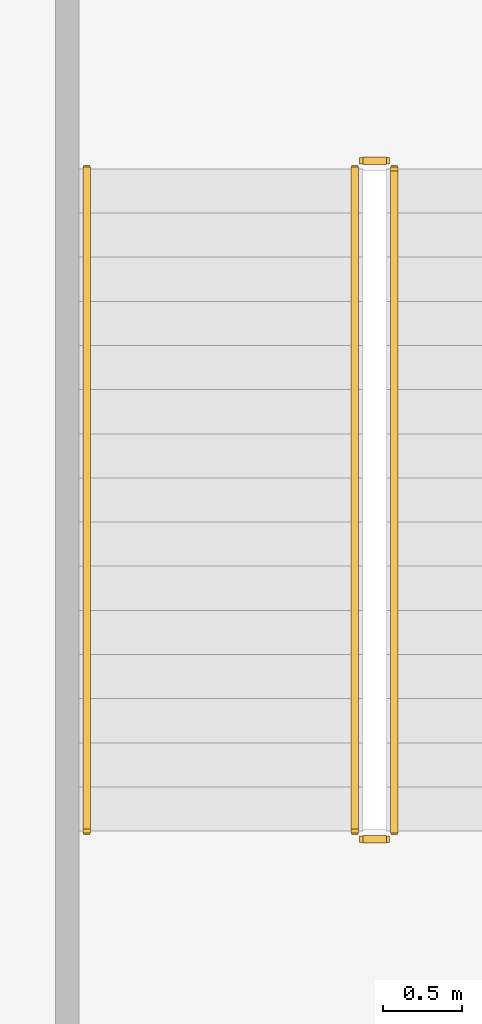
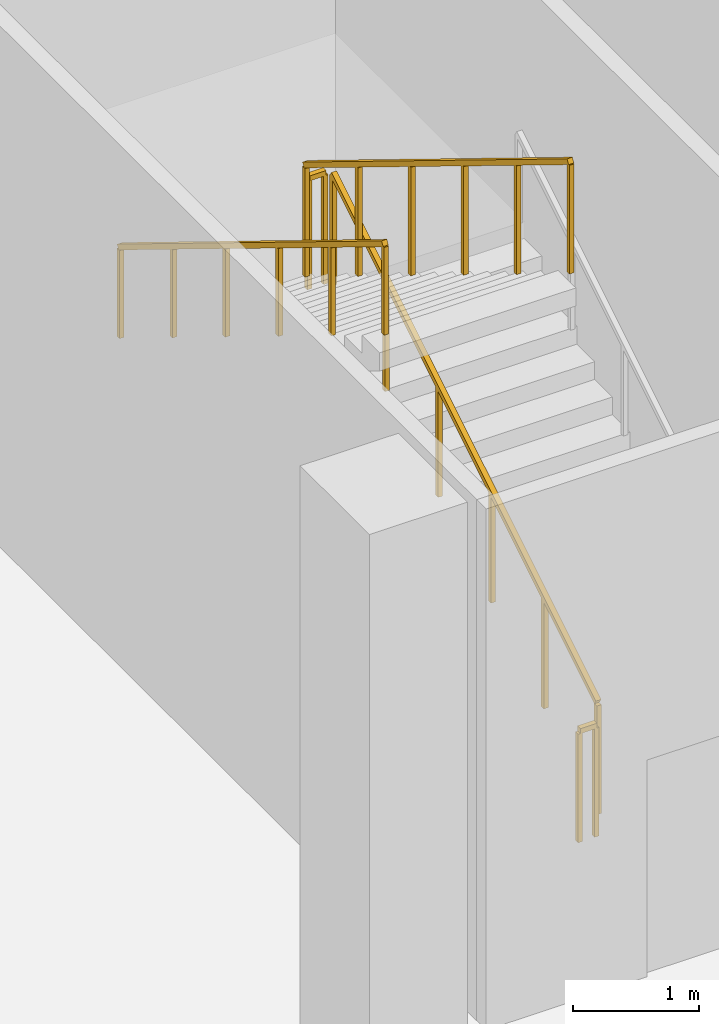
# One storey, part 21 of 26: 5 railings.
"""IFC4 building model written with IfcOpenShell, lengths in metres."""

import ifcopenshell
import ifcopenshell.guid

model = None  # the IFC model being written
_history = None  # IfcOwnerHistory: only IFC2X3 demands one
_inside = {}  # id of a spatial element -> (the spatial element, [elements in it])
_under = {}  # id of a project, library or spatial element -> (it, [spatial elements below it])
_declared = {}  # id of a project -> (the project, [libraries it declares])
_typed = {}  # id of a type object -> (the type object, [elements of that type])
_made_of = {}  # id of a material, layer set ... -> (it, [elements and type objects made of it])


def new_model(schema):
    """Start an empty IFC model of exactly this schema.

    Asked for "IFC4X3", IfcOpenShell would pick the latest addendum, in which some entities
    have other attributes; the version numbers below select the first issue.
    IFC2X3 requires an IfcOwnerHistory on every rooted entity: one is made here for all.
    """
    global model, _history
    if schema == "IFC4X3":
        model = ifcopenshell.file(schema_version=(4, 3, 0, 0))
    else:
        model = ifcopenshell.file(schema=schema)
    _inside.clear()
    _under.clear()
    _declared.clear()
    _typed.clear()
    _made_of.clear()
    _history = None
    if model.schema == "IFC2X3":
        org = make("IfcOrganization", Name="unknown")
        user = make(
            "IfcPersonAndOrganization",
            ThePerson=make("IfcPerson", FamilyName="unknown"),
            TheOrganization=org,
        )
        app = make(
            "IfcApplication",
            ApplicationDeveloper=org,
            Version="unknown",
            ApplicationFullName="unknown",
            ApplicationIdentifier="unknown",
        )
        _history = make(
            "IfcOwnerHistory",
            OwningUser=user,
            OwningApplication=app,
            ChangeAction="ADDED",
            CreationDate=0,
        )
    return model


def make(cls, **values):
    """One entity of the class cls with the attributes given. An attribute that is None is left unset."""
    return model.create_entity(
        cls, **{name: value for name, value in values.items() if value is not None}
    )


def rooted(cls, **values):
    """An entity with a GlobalId (a new one), such as an element, a storey or a relation."""
    return make(cls, GlobalId=ifcopenshell.guid.new(), OwnerHistory=_history, **values)


def si_unit(unit_type, name, prefix=None):
    """IfcSIUnit, for example si_unit("LENGTHUNIT", "METRE", prefix="MILLI")."""
    return make("IfcSIUnit", UnitType=unit_type, Prefix=prefix, Name=name)


def assignment(units):
    """IfcUnitAssignment: the units of a project."""
    return None if units is None else make("IfcUnitAssignment", Units=units)


def point(xyz):
    """IfcCartesianPoint."""
    return None if xyz is None else make("IfcCartesianPoint", Coordinates=xyz)


def direction(xyz):
    """IfcDirection."""
    return None if xyz is None else make("IfcDirection", DirectionRatios=xyz)


def frame(location, z_axis=None, x_axis=None):
    """IfcAxis2Placement3D, a coordinate frame: its origin and axes. An axis left out is left unset."""
    return make(
        "IfcAxis2Placement3D",
        Location=point(location),
        Axis=direction(z_axis),
        RefDirection=direction(x_axis),
    )


def frame_2d(location, x_axis=None):
    """IfcAxis2Placement2D, a coordinate frame in the plane: its origin and x axis."""
    return make(
        "IfcAxis2Placement2D", Location=point(location), RefDirection=direction(x_axis)
    )


def origin():
    """The frame at (0, 0, 0) with its axes left unset."""
    return frame((0.0, 0.0, 0.0))


def origin_2d():
    """The frame at (0, 0) in the plane with its x axis left unset."""
    return frame_2d((0.0, 0.0))


def place(relative_to, where):
    """IfcLocalPlacement: puts the frame where relative to a parent placement (None: the world)."""
    return make(
        "IfcLocalPlacement", PlacementRelTo=relative_to, RelativePlacement=where
    )


def context(
    kind, dimensions, precision=None, world=None, true_north=None, identifier=None
):
    """IfcGeometricRepresentationContext, for example the 3D "Model" context."""
    return make(
        "IfcGeometricRepresentationContext",
        ContextIdentifier=identifier,
        ContextType=kind,
        CoordinateSpaceDimension=dimensions,
        Precision=precision,
        WorldCoordinateSystem=world,
        TrueNorth=true_north,
    )


def subcontext(parent, identifier, kind, view, scale=None):
    """IfcGeometricRepresentationSubContext, for example "Body" below "Model"."""
    return make(
        "IfcGeometricRepresentationSubContext",
        ContextIdentifier=identifier,
        ContextType=kind,
        ParentContext=parent,
        TargetScale=scale,
        TargetView=view,
    )


def project(units=None, contexts=None):
    """IfcProject with its units and contexts."""
    return rooted(
        "IfcProject",
        Name="project",
        RepresentationContexts=contexts,
        UnitsInContext=assignment(units),
    )


def spatial(cls, under=None, at=None, **own):
    """A site, building, storey or space (cls), placed at a placement, below another one or the project."""
    s = rooted(cls, ObjectPlacement=at, **own)
    if under is not None:
        _under.setdefault(under.id(), (under, []))[1].append(s)
    return s


def profile(cls, at=None, kind="AREA", **sizes):
    """A parametric profile (cls). Its sizes go by their IFC names, for example OverallWidth=200.0."""
    return make(cls, ProfileType=kind, Position=at, **sizes)


def rectangle(**sizes):
    """IfcRectangleProfileDef."""
    return profile("IfcRectangleProfileDef", **sizes)


def extrude(swept, where, along, depth):
    """IfcExtrudedAreaSolid: the profile swept, set in the frame where, extruded along a direction by depth."""
    return make(
        "IfcExtrudedAreaSolid",
        SweptArea=swept,
        Position=where,
        ExtrudedDirection=direction(along),
        Depth=depth,
    )


def shape(context_of_items, identifier, shape_type, items):
    """IfcShapeRepresentation: the items that make up one representation, for example the "Body"."""
    return make(
        "IfcShapeRepresentation",
        ContextOfItems=context_of_items,
        RepresentationIdentifier=identifier,
        RepresentationType=shape_type,
        Items=items,
    )


def material(Name=None, Category=None):
    """IfcMaterial."""
    return make("IfcMaterial", Name=Name, Category=Category)


def made_of(thing, what):
    """Note that an element or type object is made of a material, layer set ...; save() writes the relation."""
    if what is not None:
        _made_of.setdefault(what.id(), (what, []))[1].append(thing)
    return thing


def type_object(cls, material=None, **own):
    """A type object (cls), such as IfcWallType, which elements share."""
    return made_of(rooted(cls, **own), material)


def element(
    cls,
    number,
    at=None,
    inside=None,
    cuts=None,
    type_object=None,
    material=None,
    context=None,
    identifier="Body",
    shape_type=None,
    held_by="IfcProductDefinitionShape",
    body=None,
    shapes=None,
    **own,
):
    """One element of the class cls, such as IfcWall. Its Tag is "e" and its number.

    at: its placement. inside: the storey or other place that contains it. cuts: it is an
    opening in that element (IfcRelVoidsElement). A single representation is given by context,
    identifier, shape_type and body (its items); several are given by shapes. held_by: the class
    of the entity that holds the representations. save() writes the other relations.
    """
    e = rooted(cls, Tag="e%d" % number, ObjectPlacement=at, **own)
    if body is not None:
        shapes = [shape(context, identifier, shape_type, body)]
    if shapes is not None:
        e.Representation = make(held_by, Representations=shapes)
    if inside is not None:
        _inside.setdefault(inside.id(), (inside, []))[1].append(e)
    if cuts is not None:
        rooted(
            "IfcRelVoidsElement", RelatingBuildingElement=cuts, RelatedOpeningElement=e
        )
    if type_object is not None:
        _typed.setdefault(type_object.id(), (type_object, []))[1].append(e)
    return made_of(e, material)


def aggregate(whole, parts):
    """IfcRelAggregates: a whole, such as a stair, and the parts it consists of."""
    return rooted("IfcRelAggregates", RelatingObject=whole, RelatedObjects=parts)


def save(model, path):
    """Write the relations noted so far, then the file.

    IfcRelAggregates (storeys below a building ...), IfcRelContainedInSpatialStructure (elements
    in a storey), IfcRelDefinesByType, IfcRelAssociatesMaterial and IfcRelDeclares: one each for
    every whole, place, type object, material and project.
    """
    for whole, parts in _under.values():
        aggregate(whole, parts)
    for where, things in _inside.values():
        rooted(
            "IfcRelContainedInSpatialStructure",
            RelatedElements=things,
            RelatingStructure=where,
        )
    for kind, things in _typed.values():
        rooted("IfcRelDefinesByType", RelatedObjects=things, RelatingType=kind)
    for what, things in _made_of.values():
        rooted("IfcRelAssociatesMaterial", RelatedObjects=things, RelatingMaterial=what)
    for by, libraries in _declared.values():
        rooted("IfcRelDeclares", RelatingContext=by, RelatedDefinitions=libraries)
    model.write(path)


model = new_model("IFC4")

# Units and contexts
model_context = context("Model", 3, precision=1e-05, world=origin(), true_north=direction((0.0, 1.0)))
body_context = subcontext(model_context, "Body", "Model", "MODEL_VIEW")
ifc_project = project(units=[si_unit("LENGTHUNIT", "METRE"), si_unit("AREAUNIT", "SQUARE_METRE"), si_unit("VOLUMEUNIT", "CUBIC_METRE"), si_unit("PLANEANGLEUNIT", "RADIAN"), si_unit("MASSUNIT", "GRAM", prefix="KILO")], contexts=[model_context])

# Site, building, storey
site_placement = place(None, origin())
site = spatial("IfcSite", under=ifc_project, at=site_placement, CompositionType="ELEMENT")
building_placement = place(site_placement, origin())
building = spatial("IfcBuilding", under=site, at=building_placement, Name="Alderwake Tower", CompositionType="ELEMENT")
storey_placement = place(building_placement, frame((0.0, 0.0, 8.0)))
storey = spatial("IfcBuildingStorey", under=building, at=storey_placement, Name="L01", CompositionType="ELEMENT", Elevation=8.0)

# Railings
ifc_material_1 = material(Name="Stainless steel guard", Category="steel")
railing_type_1 = type_object("IfcRailingType", Name="Stair guard 1100", PredefinedType="GUARDRAIL", material=ifc_material_1)
railing_1_placement = place(storey_placement, frame((67.0, 25.800048828125, 0.171875)))
element("IfcRailing", 1, at=railing_1_placement, inside=storey, type_object=railing_type_1, Name="L01 ST-P4 stair guard 1", PredefinedType="GUARDRAIL", context=body_context, shape_type="SweptSolid", body=[
    extrude(rectangle(XDim=0.048095703125, YDim=0.048095703125, at=origin_2d()), frame((0.0, 0.0, 1.076171875), z_axis=(0.0, 0.852242915053, 0.523146264196), x_axis=(-1.0, 0.0, 0.0)), (0.0, 0.0, 1.0), 4.92822265625),
    extrude(rectangle(XDim=0.0419921875, YDim=0.0419921875, at=origin_2d()), frame((0.0, 0.0, 0.0), z_axis=(0.0, 0.0, 1.0), x_axis=(0.0, 1.0, 0.0)), (0.0, 0.0, 1.0), 1.052001953125),
    extrude(rectangle(XDim=0.0419921875, YDim=0.0419921875, at=origin_2d()), frame((0.0, 0.840087890625, 0.515625), z_axis=(0.0, 0.0, 1.0), x_axis=(0.0, 1.0, 0.0)), (0.0, 0.0, 1.0), 1.052001953125),
    extrude(rectangle(XDim=0.0419921875, YDim=0.0419921875, at=origin_2d()), frame((0.0, 1.679931640625, 1.03125), z_axis=(0.0, 0.0, 1.0), x_axis=(0.0, 1.0, 0.0)), (0.0, 0.0, 1.0), 1.052001953125),
    extrude(rectangle(XDim=0.0419921875, YDim=0.0419921875, at=origin_2d()), frame((0.0, 2.52001953125, 1.546875), z_axis=(0.0, 0.0, 1.0), x_axis=(0.0, 1.0, 0.0)), (0.0, 0.0, 1.0), 1.052001953125),
    extrude(rectangle(XDim=0.0419921875, YDim=0.0419921875, at=origin_2d()), frame((0.0, 3.35986328125, 2.0625), z_axis=(0.0, 0.0, 1.0), x_axis=(0.0, 1.0, 0.0)), (0.0, 0.0, 1.0), 1.052001953125),
    extrude(rectangle(XDim=0.0419921875, YDim=0.0419921875, at=origin_2d()), frame((0.0, 4.199951171875, 2.578125), z_axis=(0.0, 0.0, 1.0), x_axis=(0.0, 1.0, 0.0)), (0.0, 0.0, 1.0), 1.052001953125),
])
railing_2_placement = place(storey_placement, frame((66.949951171875, 30.050048828125, 2.75)))
element("IfcRailing", 2, at=railing_2_placement, inside=storey, type_object=railing_type_1, Name="L01 ST-P4 stair guard 2", PredefinedType="GUARDRAIL", context=body_context, shape_type="SweptSolid", body=[
    extrude(rectangle(XDim=0.048095703125, YDim=0.048095703125, at=origin_2d()), frame((0.0, 0.0, 1.076171875), z_axis=(-1.0, 0.0, 0.0), x_axis=(0.0, -1.0, 0.0)), (0.0, 0.0, 1.0), 0.14990234375),
    extrude(rectangle(XDim=0.0419921875, YDim=0.0419921875, at=origin_2d()), frame((0.0, 0.0, 0.0), z_axis=(0.0, 0.0, 1.0), x_axis=(-1.0, 0.0, 0.0)), (0.0, 0.0, 1.0), 1.052001953125),
    extrude(rectangle(XDim=0.0419921875, YDim=0.0419921875, at=origin_2d()), frame((-0.14990234375, 0.0, 0.0), z_axis=(0.0, 0.0, 1.0), x_axis=(-1.0, 0.0, 0.0)), (0.0, 0.0, 1.0), 1.052001953125),
])
railing_3_placement = place(storey_placement, frame((66.75, 30.0, 2.921875)))
element("IfcRailing", 3, at=railing_3_placement, inside=storey, type_object=railing_type_1, Name="L01 ST-P4 stair guard 3", PredefinedType="GUARDRAIL", context=body_context, shape_type="SweptSolid", body=[
    extrude(rectangle(XDim=0.048095703125, YDim=0.048095703125, at=origin_2d()), frame((0.0, 0.0, 1.076171875), z_axis=(0.0, -0.852242915053, 0.523146264196), x_axis=(1.0, 0.0, 0.0)), (0.0, 0.0, 1.0), 4.92822265625),
    extrude(rectangle(XDim=0.0419921875, YDim=0.0419921875, at=origin_2d()), frame((0.0, 0.0, 0.0), z_axis=(0.0, 0.0, 1.0), x_axis=(0.0, -1.0, 0.0)), (0.0, 0.0, 1.0), 1.052001953125),
    extrude(rectangle(XDim=0.0419921875, YDim=0.0419921875, at=origin_2d()), frame((0.0, -0.840087890625, 0.515625), z_axis=(0.0, 0.0, 1.0), x_axis=(0.0, -1.0, 0.0)), (0.0, 0.0, 1.0), 1.052001953125),
    extrude(rectangle(XDim=0.0419921875, YDim=0.0419921875, at=origin_2d()), frame((0.0, -1.679931640625, 1.03125), z_axis=(0.0, 0.0, 1.0), x_axis=(0.0, -1.0, 0.0)), (0.0, 0.0, 1.0), 1.052001953125),
    extrude(rectangle(XDim=0.0419921875, YDim=0.0419921875, at=origin_2d()), frame((0.0, -2.52001953125, 1.546875), z_axis=(0.0, 0.0, 1.0), x_axis=(0.0, -1.0, 0.0)), (0.0, 0.0, 1.0), 1.052001953125),
    extrude(rectangle(XDim=0.0419921875, YDim=0.0419921875, at=origin_2d()), frame((0.0, -3.35986328125, 2.0625), z_axis=(0.0, 0.0, 1.0), x_axis=(0.0, -1.0, 0.0)), (0.0, 0.0, 1.0), 1.052001953125),
    extrude(rectangle(XDim=0.0419921875, YDim=0.0419921875, at=origin_2d()), frame((0.0, -4.199951171875, 2.578125), z_axis=(0.0, 0.0, 1.0), x_axis=(0.0, -1.0, 0.0)), (0.0, 0.0, 1.0), 1.052001953125),
])
railing_4_placement = place(storey_placement, frame((66.949951171875, 25.75, 0.0)))
element("IfcRailing", 4, at=railing_4_placement, inside=storey, type_object=railing_type_1, Name="L01 ST-P4 stair guard 4", PredefinedType="GUARDRAIL", context=body_context, shape_type="SweptSolid", body=[
    extrude(rectangle(XDim=0.048095703125, YDim=0.048095703125, at=origin_2d()), frame((0.0, 0.0, 1.076171875), z_axis=(-1.0, 0.0, 0.0), x_axis=(0.0, -1.0, 0.0)), (0.0, 0.0, 1.0), 0.14990234375),
    extrude(rectangle(XDim=0.0419921875, YDim=0.0419921875, at=origin_2d()), frame((0.0, 0.0, 0.0), z_axis=(0.0, 0.0, 1.0), x_axis=(-1.0, 0.0, 0.0)), (0.0, 0.0, 1.0), 1.052001953125),
    extrude(rectangle(XDim=0.0419921875, YDim=0.0419921875, at=origin_2d()), frame((-0.14990234375, 0.0, 0.0), z_axis=(0.0, 0.0, 1.0), x_axis=(-1.0, 0.0, 0.0)), (0.0, 0.0, 1.0), 1.052001953125),
])
ifc_material_2 = material(Name="Stainless steel handrail", Category="steel")
railing_type_2 = type_object("IfcRailingType", Name="Stair handrail 900", PredefinedType="HANDRAIL", material=ifc_material_2)
railing_5_placement = place(storey_placement, frame((65.050048828125, 30.0, 2.921875)))
element("IfcRailing", 5, at=railing_5_placement, inside=storey, type_object=railing_type_2, Name="L01 ST-P4 stair handrail 2", PredefinedType="HANDRAIL", context=body_context, shape_type="SweptSolid", body=[
    extrude(rectangle(XDim=0.048095703125, YDim=0.048095703125, at=origin_2d()), frame((0.0, 0.0, 0.8759765625), z_axis=(0.0, -0.852242915053, 0.523146264196), x_axis=(1.0, 0.0, 0.0)), (0.0, 0.0, 1.0), 4.92822265625),
    extrude(rectangle(XDim=0.0419921875, YDim=0.0419921875, at=origin_2d()), frame((0.0, 0.0, 0.0), z_axis=(0.0, 0.0, 1.0), x_axis=(0.0, -1.0, 0.0)), (0.0, 0.0, 1.0), 0.851806640625),
    extrude(rectangle(XDim=0.0419921875, YDim=0.0419921875, at=origin_2d()), frame((0.0, -0.840087890625, 0.515625), z_axis=(0.0, 0.0, 1.0), x_axis=(0.0, -1.0, 0.0)), (0.0, 0.0, 1.0), 0.851806640625),
    extrude(rectangle(XDim=0.0419921875, YDim=0.0419921875, at=origin_2d()), frame((0.0, -1.679931640625, 1.03125), z_axis=(0.0, 0.0, 1.0), x_axis=(0.0, -1.0, 0.0)), (0.0, 0.0, 1.0), 0.851806640625),
    extrude(rectangle(XDim=0.0419921875, YDim=0.0419921875, at=origin_2d()), frame((0.0, -2.52001953125, 1.546875), z_axis=(0.0, 0.0, 1.0), x_axis=(0.0, -1.0, 0.0)), (0.0, 0.0, 1.0), 0.851806640625),
    extrude(rectangle(XDim=0.0419921875, YDim=0.0419921875, at=origin_2d()), frame((0.0, -3.35986328125, 2.0625), z_axis=(0.0, 0.0, 1.0), x_axis=(0.0, -1.0, 0.0)), (0.0, 0.0, 1.0), 0.851806640625),
    extrude(rectangle(XDim=0.0419921875, YDim=0.0419921875, at=origin_2d()), frame((0.0, -4.199951171875, 2.578125), z_axis=(0.0, 0.0, 1.0), x_axis=(0.0, -1.0, 0.0)), (0.0, 0.0, 1.0), 0.851806640625),
])

save(model, "model.ifc")
